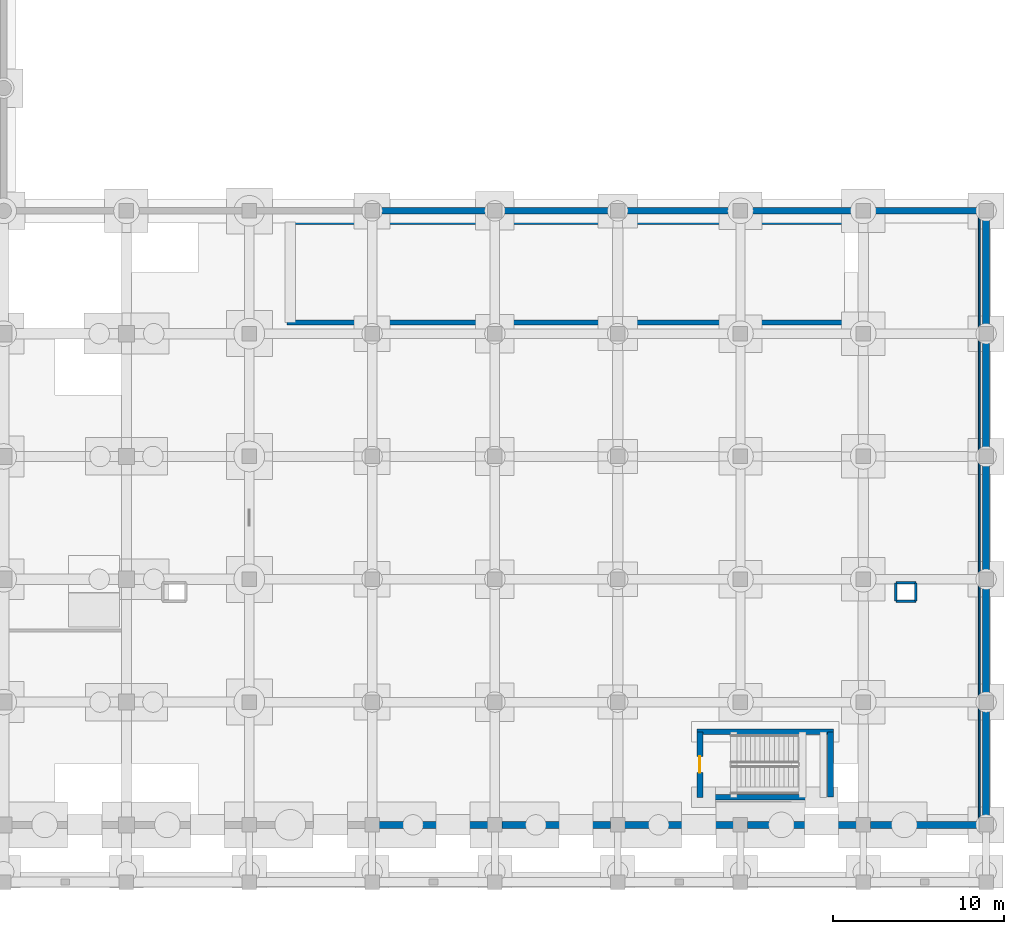
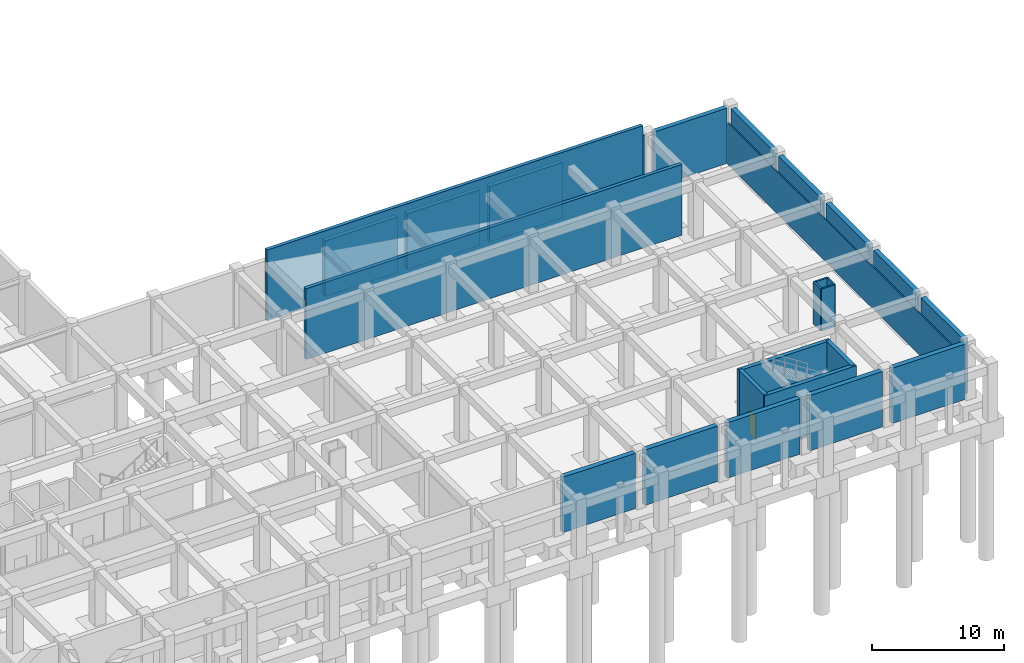
# One storey, part 18 of 26: 26 walls, 1 door, 1 opening.
"""IFC4 building model written with IfcOpenShell, lengths in metres."""

from ifc_helpers import new_model, si_unit, direction, frame, frame_2d, origin, place, context, subcontext, project, spatial, rectangle, extrude, material, layer, layer_set, type_object, element, fill, save


model = new_model("IFC4")

# Units and contexts
model_context = context("Model", 3, precision=1e-05, world=origin(), true_north=direction((0.0, 1.0)))
body_context = subcontext(model_context, "Body", "Model", "MODEL_VIEW")
ifc_project = project(units=[si_unit("LENGTHUNIT", "METRE"), si_unit("AREAUNIT", "SQUARE_METRE"), si_unit("VOLUMEUNIT", "CUBIC_METRE"), si_unit("PLANEANGLEUNIT", "RADIAN"), si_unit("MASSUNIT", "GRAM", prefix="KILO")], contexts=[model_context])

# Site, building, storey
site_placement = place(None, origin())
site = spatial("IfcSite", under=ifc_project, at=site_placement, CompositionType="ELEMENT")
building_placement = place(site_placement, origin())
building = spatial("IfcBuilding", under=site, at=building_placement, Name="Kazehaya Institute of Natural Sciences", CompositionType="ELEMENT")
storey_placement = place(building_placement, frame((0.0, 0.0, -5.39990234375)))
storey = spatial("IfcBuildingStorey", under=building, at=storey_placement, Name="B1", CompositionType="ELEMENT", Elevation=-5.39990234375)

# Walls
ifc_material_1 = material(Name="Concrete Fc42", Category="concrete")
ifc_layer_1 = layer(ifc_material_1, 0.35009765625, Name="Concrete Fc42", Category="concrete")
ifc_layer_set_1 = layer_set([ifc_layer_1], Name="Concrete Fc42")
wall_type_1 = type_object("IfcWallType", Name="WL-CORE-350", PredefinedType="SHEAR", material=ifc_layer_set_1)
for number, where, z_axis, x_axis, name in (
    (1, (160.85498046875, 8.419921875, 0.0), (0.0, 0.0, 1.0), (-1.0, 0.0, 0.0), "B1 ST-5 core wall S"),
    (2, (152.844970703125, 12.260009765625, 0.0), (0.0, 0.0, 1.0), (1.0, 0.0, 0.0), "B1 ST-5 core wall N"),
):
    element("IfcWall", number, at=place(storey_placement, frame(where, z_axis=z_axis, x_axis=x_axis)), inside=storey, type_object=wall_type_1, Name=name, PredefinedType="SHEAR", context=body_context, shape_type="SweptSolid", body=[
        extrude(rectangle(XDim=8.010009765625, YDim=0.35009765625, at=frame_2d((4.0048828125, 0.0))), origin(), (0.0, 0.0, 1.0), 5.119873046875),
    ])

# Wall, opening, door
wall_1_placement = place(storey_placement, frame((153.02001953125, 8.419921875, 0.0), z_axis=(0.0, 0.0, 1.0), x_axis=(0.0, 1.0, 0.0)))
wall_1 = element("IfcWall", 3, at=wall_1_placement, inside=storey, type_object=wall_type_1, Name="B1 ST-5 core wall W", PredefinedType="SHEAR", context=body_context, shape_type="SweptSolid", body=[
    extrude(rectangle(XDim=3.840087890625, YDim=0.35009765625, at=frame_2d((1.919921875, 0.0))), origin(), (0.0, 0.0, 1.0), 5.119873046875),
])
opening_placement = place(wall_1_placement, frame((1.449951171875, 0.0, 0.0)))
opening = element("IfcOpeningElement", 4, at=opening_placement, cuts=wall_1, Name="Opening D-ST-035", PredefinedType="OPENING", context=body_context, shape_type="SweptSolid", body=[
    extrude(rectangle(XDim=0.93994140625, YDim=2.179931640625, at=frame_2d((0.469970703125, 1.08984375))), frame((0.0, 0.18505859375, 0.0), z_axis=(0.0, -1.0, 0.0), x_axis=(1.0, 0.0, 0.0)), (0.0, 0.0, 1.0), 0.3701171875),
])
ifc_material_2 = material(Name="Fire-rated steel acoustic door", Category="steel")
door_type = type_object("IfcDoorType", Name="DT-FD-06", OperationType="NOTDEFINED", PredefinedType="DOOR", material=ifc_material_2)
door_placement = place(opening_placement, origin())
door = element("IfcDoor", 5, at=door_placement, inside=storey, type_object=door_type, Name="B1 ST-5 stair enclosure door D-ST-035", OperationType="SINGLE_SWING_LEFT", OverallHeight=2.179931640625, OverallWidth=0.93994140625, PredefinedType="DOOR", context=body_context, shape_type="SweptSolid", body=[
    extrude(rectangle(XDim=0.93994140625, YDim=2.179931640625, at=frame_2d((0.469970703125, 1.08984375))), frame((0.0, 0.02490234375, 0.0), z_axis=(0.0, -1.0, 0.0), x_axis=(1.0, 0.0, 0.0)), (0.0, 0.0, 1.0), 0.050048828125),
])
fill(opening, door)

# Walls
wall_2_placement = place(storey_placement, frame((160.679931640625, 12.260009765625, 0.0), z_axis=(0.0, 0.0, 1.0), x_axis=(0.0, -1.0, 0.0)))
element("IfcWall", 6, at=wall_2_placement, inside=storey, type_object=wall_type_1, Name="B1 ST-5 core wall E", PredefinedType="SHEAR", context=body_context, shape_type="SweptSolid", body=[
    extrude(rectangle(XDim=3.840087890625, YDim=0.35009765625, at=frame_2d((1.919921875, 0.0))), origin(), (0.0, 0.0, 1.0), 5.119873046875),
])
ifc_material_3 = material(Name="Lightweight chase partition")
ifc_layer_2 = layer(ifc_material_3, 0.10009765625, Name="Lightweight chase partition")
ifc_layer_set_2 = layer_set([ifc_layer_2], Name="Lightweight chase partition")
wall_type_2 = type_object("IfcWallType", Name="WL-PART-100", PredefinedType="PARTITIONING", material=ifc_layer_set_2)
wall_3_placement = place(storey_placement, frame((169.39990234375, 42.449951171875, 0.0), z_axis=(0.0, 0.0, 1.0), x_axis=(0.0, -1.0, 0.0)))
element("IfcWall", 7, at=wall_3_placement, inside=storey, type_object=wall_type_2, Name="B1 Basement Car Park partition IW-B1-0032", PredefinedType="PARTITIONING", context=body_context, shape_type="SweptSolid", body=[
    extrude(rectangle(XDim=35.300048828125, YDim=0.10009765625, at=frame_2d((17.64990234375, 0.0))), origin(), (0.0, 0.0, 1.0), 3.8798828125),
])
ifc_layer_3 = layer(ifc_material_1, 0.300048828125, Name="Concrete Fc42", Category="concrete")
ifc_layer_set_3 = layer_set([ifc_layer_3], Name="Concrete Fc42")
wall_type_3 = type_object("IfcWallType", Name="WL-RAMP-300", PredefinedType="SHEAR", material=ifc_layer_set_3)
for number, where, z_axis, x_axis, name in (
    (8, (128.800048828125, 36.25, 0.0), (0.0, 0.0, 1.0), (1.0, 0.0, 0.0), "B1 car park ramp chute wall S"),
    (9, (128.800048828125, 42.14990234375, 0.0), (0.0, 0.0, 1.0), (1.0, 0.0, 0.0), "B1 car park ramp chute wall N"),
):
    element("IfcWall", number, at=place(storey_placement, frame(where, z_axis=z_axis, x_axis=x_axis)), inside=storey, type_object=wall_type_3, Name=name, PredefinedType="SHEAR", context=body_context, shape_type="SweptSolid", body=[
        extrude(rectangle(XDim=32.89990234375, YDim=0.300048828125, at=frame_2d((16.449951171875, 0.0))), origin(), (0.0, 0.0, 1.0), 6.5498046875),
    ])
ifc_layer_4 = layer(ifc_material_1, 0.389892578125, Name="Concrete Fc42", Category="concrete")
ifc_layer_set_4 = layer_set([ifc_layer_4], Name="Concrete Fc42")
wall_type_4 = type_object("IfcWallType", Name="WL-RET-390", PredefinedType="USERDEFINED", material=ifc_layer_set_4)
for number, where, z_axis, x_axis, name in (
    (10, (134.2099609375, 42.800048828125, 0.0), (0.0, 0.0, 1.0), (1.0, 0.0, 0.0), "B1 exterior wall EW-B1-0067"),
    (11, (141.409912109375, 42.800048828125, 0.0), (0.0, 0.0, 1.0), (1.0, 0.0, 0.0), "B1 exterior wall EW-B1-0068"),
):
    element("IfcWall", number, at=place(storey_placement, frame(where, z_axis=z_axis, x_axis=x_axis)), inside=storey, type_object=wall_type_4, Name=name, ObjectType="RETAININGWALL", PredefinedType="USERDEFINED", context=body_context, shape_type="SweptSolid", body=[
        extrude(rectangle(XDim=6.380126953125, YDim=0.389892578125, at=frame_2d((3.18994140625, 0.0))), origin(), (0.0, 0.0, 1.0), 5.119873046875),
    ])
for number, where, z_axis, x_axis, name in (
    (12, (148.610107421875, 42.800048828125, 0.0), (0.0, 0.0, 1.0), (1.0, 0.0, 0.0), "B1 exterior wall EW-B1-0069"),
    (13, (155.81005859375, 42.800048828125, 0.0), (0.0, 0.0, 1.0), (1.0, 0.0, 0.0), "B1 exterior wall EW-B1-0070"),
    (14, (163.010009765625, 42.800048828125, 0.0), (0.0, 0.0, 1.0), (1.0, 0.0, 0.0), "B1 exterior wall EW-B1-0071"),
):
    element("IfcWall", number, at=place(storey_placement, frame(where, z_axis=z_axis, x_axis=x_axis)), inside=storey, type_object=wall_type_4, Name=name, ObjectType="RETAININGWALL", PredefinedType="USERDEFINED", context=body_context, shape_type="SweptSolid", body=[
        extrude(rectangle(XDim=6.3798828125, YDim=0.389892578125, at=frame_2d((3.18994140625, 0.0))), origin(), (0.0, 0.0, 1.0), 5.119873046875),
    ])
ifc_layer_5 = layer(ifc_material_1, 0.419921875, Name="Concrete Fc42", Category="concrete")
ifc_layer_set_5 = layer_set([ifc_layer_5], Name="Concrete Fc42")
wall_type_5 = type_object("IfcWallType", Name="WL-RET-420", PredefinedType="USERDEFINED", material=ifc_layer_set_5)
for number, where, z_axis, x_axis, name in (
    (15, (169.389892578125, 6.800048828125, 0.0), (0.0, 0.0, 1.0), (-1.0, 0.0, 0.0), "B1 exterior wall EW-B1-0001"),
    (16, (162.18994140625, 6.800048828125, 0.0), (0.0, 0.0, 1.0), (-1.0, 0.0, 0.0), "B1 exterior wall EW-B1-0002"),
    (17, (154.989990234375, 6.800048828125, 0.0), (0.0, 0.0, 1.0), (-1.0, 0.0, 0.0), "B1 exterior wall EW-B1-0003"),
):
    element("IfcWall", number, at=place(storey_placement, frame(where, z_axis=z_axis, x_axis=x_axis)), inside=storey, type_object=wall_type_5, Name=name, ObjectType="RETAININGWALL", PredefinedType="USERDEFINED", context=body_context, shape_type="SweptSolid", body=[
        extrude(rectangle(XDim=6.3798828125, YDim=0.419921875, at=frame_2d((3.18994140625, 0.0))), origin(), (0.0, 0.0, 1.0), 5.119873046875),
    ])
for number, where, z_axis, x_axis, name in (
    (18, (147.7900390625, 6.800048828125, 0.0), (0.0, 0.0, 1.0), (-1.0, 0.0, 0.0), "B1 exterior wall EW-B1-0004"),
    (19, (140.590087890625, 6.800048828125, 0.0), (0.0, 0.0, 1.0), (-1.0, 0.0, 0.0), "B1 exterior wall EW-B1-0005"),
):
    element("IfcWall", number, at=place(storey_placement, frame(where, z_axis=z_axis, x_axis=x_axis)), inside=storey, type_object=wall_type_5, Name=name, ObjectType="RETAININGWALL", PredefinedType="USERDEFINED", context=body_context, shape_type="SweptSolid", body=[
        extrude(rectangle(XDim=6.380126953125, YDim=0.419921875, at=frame_2d((3.18994140625, 0.0))), origin(), (0.0, 0.0, 1.0), 5.119873046875),
    ])
for number, where, z_axis, x_axis, name in (
    (20, (169.800048828125, 42.389892578125, 0.0), (0.0, 0.0, 1.0), (0.0, -1.0, 0.0), "B1 exterior wall EW-B1-0072"),
    (21, (169.800048828125, 35.18994140625, 0.0), (0.0, 0.0, 1.0), (0.0, -1.0, 0.0), "B1 exterior wall EW-B1-0073"),
    (22, (169.800048828125, 27.989990234375, 0.0), (0.0, 0.0, 1.0), (0.0, -1.0, 0.0), "B1 exterior wall EW-B1-0074"),
):
    element("IfcWall", number, at=place(storey_placement, frame(where, z_axis=z_axis, x_axis=x_axis)), inside=storey, type_object=wall_type_5, Name=name, ObjectType="RETAININGWALL", PredefinedType="USERDEFINED", context=body_context, shape_type="SweptSolid", body=[
        extrude(rectangle(XDim=6.3798828125, YDim=0.419921875, at=frame_2d((3.18994140625, 0.0))), origin(), (0.0, 0.0, 1.0), 5.119873046875),
    ])
for number, where, z_axis, x_axis, name in (
    (23, (169.800048828125, 20.7900390625, 0.0), (0.0, 0.0, 1.0), (0.0, -1.0, 0.0), "B1 exterior wall EW-B1-0075"),
    (24, (169.800048828125, 13.590087890625, 0.0), (0.0, 0.0, 1.0), (0.0, -1.0, 0.0), "B1 exterior wall EW-B1-0076"),
):
    element("IfcWall", number, at=place(storey_placement, frame(where, z_axis=z_axis, x_axis=x_axis)), inside=storey, type_object=wall_type_5, Name=name, ObjectType="RETAININGWALL", PredefinedType="USERDEFINED", context=body_context, shape_type="SweptSolid", body=[
        extrude(rectangle(XDim=6.380126953125, YDim=0.419921875, at=frame_2d((3.18994140625, 0.0))), origin(), (0.0, 0.0, 1.0), 5.119873046875),
    ])
ifc_material_4 = material(Name="Concrete Fc36", Category="concrete")
ifc_layer_6 = layer(ifc_material_4, 0.14990234375, Name="Concrete Fc36", Category="concrete")
ifc_layer_set_6 = layer_set([ifc_layer_6], Name="Concrete Fc36")
wall_type_6 = type_object("IfcWallType", Name="WL-RISER-150", PredefinedType="PARTITIONING", material=ifc_layer_set_6)
for number, where, z_axis, x_axis, name in (
    (25, (165.68505859375, 19.9150390625, 0.0), (0.0, 0.0, 1.0), (-1.0, 0.0, 0.0), "B1 fume exhaust riser shaft wall 5"),
    (26, (164.514892578125, 20.985107421875, 0.0), (0.0, 0.0, 1.0), (1.0, 0.0, 0.0), "B1 fume exhaust riser shaft wall 5"),
):
    element("IfcWall", number, at=place(storey_placement, frame(where, z_axis=z_axis, x_axis=x_axis)), inside=storey, type_object=wall_type_6, Name=name, PredefinedType="PARTITIONING", context=body_context, shape_type="SweptSolid", body=[
        extrude(rectangle(XDim=1.170166015625, YDim=0.14990234375, at=frame_2d((0.5849609375, 0.0))), origin(), (0.0, 0.0, 1.0), 3.8798828125),
    ])
for number, where, z_axis, x_axis, name in (
    (27, (164.514892578125, 19.9150390625, 0.0), (0.0, 0.0, 1.0), (0.0, 1.0, 0.0), "B1 fume exhaust riser shaft wall 5"),
    (28, (165.68505859375, 20.985107421875, 0.0), (0.0, 0.0, 1.0), (0.0, -1.0, 0.0), "B1 fume exhaust riser shaft wall 5"),
):
    element("IfcWall", number, at=place(storey_placement, frame(where, z_axis=z_axis, x_axis=x_axis)), inside=storey, type_object=wall_type_6, Name=name, PredefinedType="PARTITIONING", context=body_context, shape_type="SweptSolid", body=[
        extrude(rectangle(XDim=1.070068359375, YDim=0.14990234375, at=frame_2d((0.53515625, 0.0))), origin(), (0.0, 0.0, 1.0), 3.8798828125),
    ])

save(model, "model.ifc")
